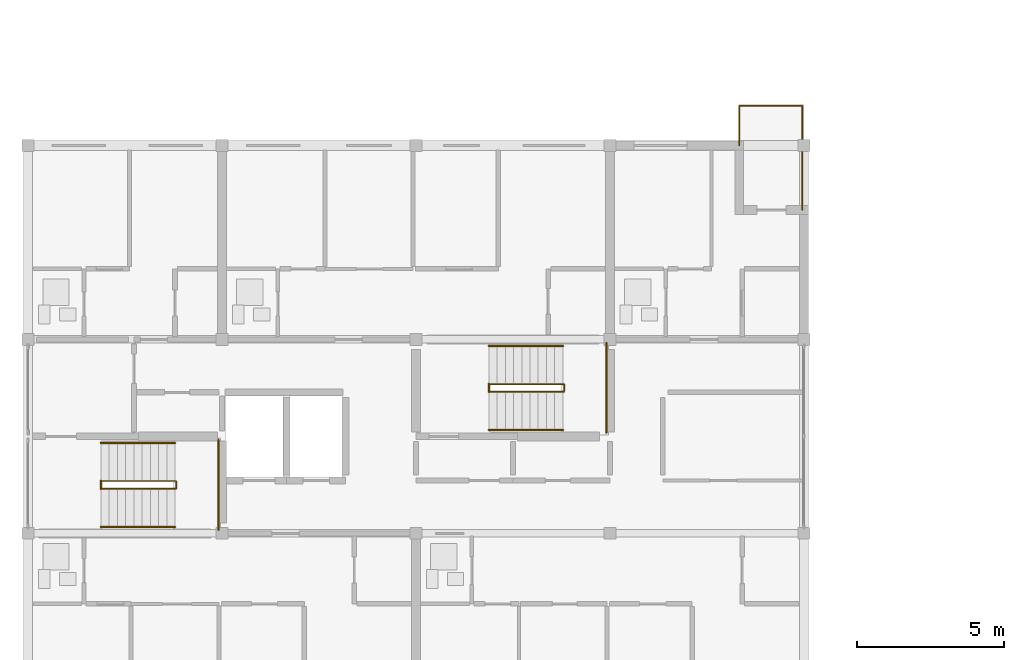
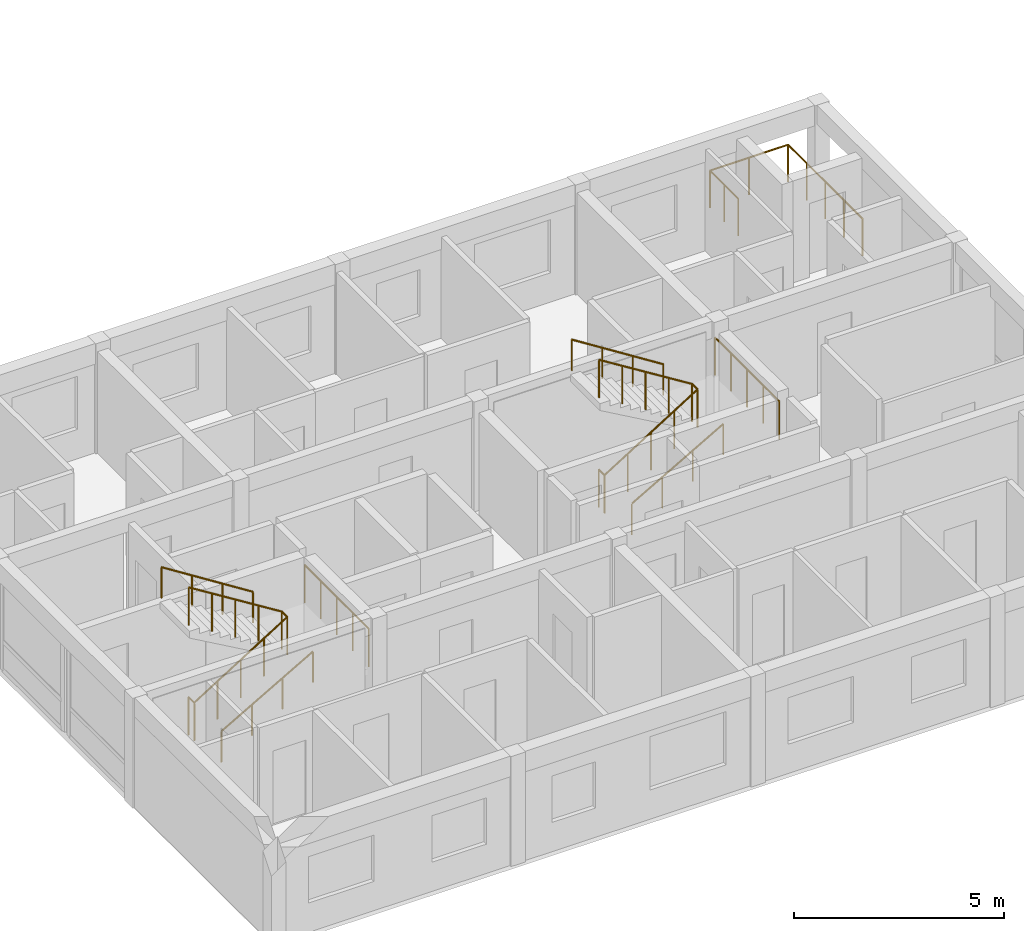
# One storey, part 40 of 45: 11 railings.
"""IFC4 building model written with IfcOpenShell, lengths in metres."""

from ifc_helpers import new_model, si_unit, direction, frame, origin, origin_2d, place, context, subcontext, project, spatial, circle, extrude, material, type_object, element, save


model = new_model("IFC4")

# Units and contexts
model_context = context("Model", 3, precision=1e-05, world=origin(), true_north=direction((0.0, 1.0)))
body_context = subcontext(model_context, "Body", "Model", "MODEL_VIEW")
ifc_project = project(units=[si_unit("LENGTHUNIT", "METRE"), si_unit("AREAUNIT", "SQUARE_METRE"), si_unit("VOLUMEUNIT", "CUBIC_METRE"), si_unit("PLANEANGLEUNIT", "RADIAN"), si_unit("MASSUNIT", "GRAM", prefix="KILO")], contexts=[model_context])

# Site, building, storey
site_placement = place(None, origin())
site = spatial("IfcSite", under=ifc_project, at=site_placement, CompositionType="ELEMENT")
building_placement = place(site_placement, origin())
building = spatial("IfcBuilding", under=site, at=building_placement, Name="Kernevlak Ridge Housing Community", CompositionType="ELEMENT")
storey_placement = place(building_placement, frame((0.0, 0.0, 14.800048828125)))
storey = spatial("IfcBuildingStorey", under=building, at=storey_placement, Name="L04", CompositionType="ELEMENT", Elevation=14.800048828125)

# Railings
ifc_material_1 = material(Name="Steel S355", Category="steel")
railing_type_1 = type_object("IfcRailingType", Name="BL-01", PredefinedType="BALUSTRADE", material=ifc_material_1)
railing_1_placement = place(storey_placement, frame((39.800048828125, 35.39990234375, 0.0)))
element("IfcRailing", 1, at=railing_1_placement, inside=storey, type_object=railing_type_1, Name="Block D L04 balcony balustrade BL-01 50", PredefinedType="BALUSTRADE", context=body_context, shape_type="SweptSolid", body=[
    extrude(circle(Radius=0.02392578125, at=origin_2d()), frame((0.0, 0.0, 1.076171875), z_axis=(0.0, 1.0, 0.0), x_axis=(-1.0, 0.0, 0.0)), (0.0, 0.0, 1.0), 1.35009765625),
    extrude(circle(Radius=0.02392578125, at=origin_2d()), frame((0.0, 1.35009765625, 1.076171875), z_axis=(1.0, 0.0, 0.0), x_axis=(0.0, 1.0, 0.0)), (0.0, 0.0, 1.0), 2.14990234375),
    extrude(circle(Radius=0.02392578125, at=origin_2d()), frame((2.14990234375, 1.35009765625, 1.076171875), z_axis=(0.0, -1.0, 0.0), x_axis=(1.0, 0.0, 0.0)), (0.0, 0.0, 1.0), 3.550048828125),
    extrude(circle(Radius=0.02099609375, at=origin_2d()), origin(), (0.0, 0.0, 1.0), 1.052001953125),
    extrude(circle(Radius=0.02099609375, at=origin_2d()), frame((0.0, 0.675048828125, 0.0)), (0.0, 0.0, 1.0), 1.052001953125),
    extrude(circle(Radius=0.02099609375, at=origin_2d()), frame((0.0, 1.35009765625, 0.0)), (0.0, 0.0, 1.0), 1.052001953125),
    extrude(circle(Radius=0.02099609375, at=origin_2d()), frame((1.074951171875, 1.35009765625, 0.0)), (0.0, 0.0, 1.0), 1.052001953125),
    extrude(circle(Radius=0.02099609375, at=origin_2d()), frame((2.14990234375, 1.35009765625, 0.0)), (0.0, 0.0, 1.0), 1.052001953125),
    extrude(circle(Radius=0.02099609375, at=origin_2d()), frame((2.14990234375, 0.462646484375, 0.0)), (0.0, 0.0, 1.0), 1.052001953125),
    extrude(circle(Radius=0.02099609375, at=origin_2d()), frame((2.14990234375, -0.4248046875, 0.0)), (0.0, 0.0, 1.0), 1.052001953125),
    extrude(circle(Radius=0.02099609375, at=origin_2d()), frame((2.14990234375, -1.3125, 0.0)), (0.0, 0.0, 1.0), 1.052001953125),
    extrude(circle(Radius=0.02099609375, at=origin_2d()), frame((2.14990234375, -2.199951171875, 0.0)), (0.0, 0.0, 1.0), 1.052001953125),
])
railing_type_2 = type_object("IfcRailingType", Name="GR-02", PredefinedType="GUARDRAIL", material=ifc_material_1)
railing_2_placement = place(storey_placement, frame((18.080078125, 23.7099609375, 0.0)))
element("IfcRailing", 2, at=railing_2_placement, inside=storey, type_object=railing_type_2, Name="Stair ST-D1 L04 well slot guard", PredefinedType="GUARDRAIL", context=body_context, shape_type="SweptSolid", body=[
    extrude(circle(Radius=0.02392578125, at=origin_2d()), frame((0.0, 0.0, 1.09619140625), z_axis=(0.0, 1.0, 0.0), x_axis=(-1.0, 0.0, 0.0)), (0.0, 0.0, 1.0), 0.280029296875),
    extrude(circle(Radius=0.02099609375, at=origin_2d()), origin(), (0.0, 0.0, 1.0), 1.072021484375),
    extrude(circle(Radius=0.02099609375, at=origin_2d()), frame((0.0, 0.280029296875, 0.0)), (0.0, 0.0, 1.0), 1.072021484375),
])
railing_3_placement = place(storey_placement, frame((18.080078125, 23.719970703125, 0.0)))
element("IfcRailing", 3, at=railing_3_placement, inside=storey, type_object=railing_type_2, Name="Stair ST-D1 L04 inner well guardrail", PredefinedType="GUARDRAIL", context=body_context, shape_type="SweptSolid", body=[
    extrude(circle(Radius=0.02392578125, at=origin_2d()), frame((0.0, 0.0, 1.09619140625), z_axis=(0.848002847666, 0.0, 0.529991670077), x_axis=(0.0, 1.0, 0.0)), (0.0, 0.0, 1.0), 3.0185546875),
    extrude(circle(Radius=0.02392578125, at=origin_2d()), frame((2.559814453125, 0.0, 2.69580078125), z_axis=(0.0, 1.0, 0.0), x_axis=(-1.0, 0.0, 0.0)), (0.0, 0.0, 1.0), 0.260009765625),
    extrude(circle(Radius=0.02392578125, at=origin_2d()), frame((2.559814453125, 0.260009765625, 2.69580078125), z_axis=(-0.847966497998, 0.0, 0.530049826217), x_axis=(0.0, -1.0, 0.0)), (0.0, 0.0, 1.0), 3.018798828125),
    extrude(circle(Radius=0.02099609375, at=origin_2d()), origin(), (0.0, 0.0, 1.0), 1.072021484375),
    extrude(circle(Radius=0.02099609375, at=origin_2d()), frame((0.639892578125, 0.0, 0.39990234375)), (0.0, 0.0, 1.0), 1.072021484375),
    extrude(circle(Radius=0.02099609375, at=origin_2d()), frame((1.27978515625, 0.0, 0.7998046875)), (0.0, 0.0, 1.0), 1.072021484375),
    extrude(circle(Radius=0.02099609375, at=origin_2d()), frame((1.919921875, 0.0, 1.199951171875)), (0.0, 0.0, 1.0), 1.072021484375),
    extrude(circle(Radius=0.02099609375, at=origin_2d()), frame((2.559814453125, 0.0, 1.599853515625)), (0.0, 0.0, 1.0), 1.072021484375),
    extrude(circle(Radius=0.02099609375, at=origin_2d()), frame((2.559814453125, 0.260009765625, 1.599853515625)), (0.0, 0.0, 1.0), 1.072021484375),
    extrude(circle(Radius=0.02099609375, at=origin_2d()), frame((1.919921875, 0.260009765625, 2.0)), (0.0, 0.0, 1.0), 1.072021484375),
    extrude(circle(Radius=0.02099609375, at=origin_2d()), frame((1.27978515625, 0.260009765625, 2.39990234375)), (0.0, 0.0, 1.0), 1.072021484375),
    extrude(circle(Radius=0.02099609375, at=origin_2d()), frame((0.639892578125, 0.260009765625, 2.7998046875)), (0.0, 0.0, 1.0), 1.072021484375),
    extrude(circle(Radius=0.02099609375, at=origin_2d()), frame((0.0, 0.260009765625, 3.199951171875)), (0.0, 0.0, 1.0), 1.072021484375),
])
railing_4_placement = place(storey_placement, frame((22.080078125, 22.320068359375, 1.599853515625)))
element("IfcRailing", 4, at=railing_4_placement, inside=storey, type_object=railing_type_2, Name="Stair ST-D1 L04 half-landing guard", PredefinedType="GUARDRAIL", context=body_context, shape_type="SweptSolid", body=[
    extrude(circle(Radius=0.02392578125, at=origin_2d()), frame((0.0, 0.0, 1.09619140625), z_axis=(0.0, 1.0, 0.0), x_axis=(-1.0, 0.0, 0.0)), (0.0, 0.0, 1.0), 3.059814453125),
    extrude(circle(Radius=0.02099609375, at=origin_2d()), origin(), (0.0, 0.0, 1.0), 1.072021484375),
    extrude(circle(Radius=0.02099609375, at=origin_2d()), frame((0.0, 0.764892578125, 0.0)), (0.0, 0.0, 1.0), 1.072021484375),
    extrude(circle(Radius=0.02099609375, at=origin_2d()), frame((0.0, 1.52978515625, 0.0)), (0.0, 0.0, 1.0), 1.072021484375),
    extrude(circle(Radius=0.02099609375, at=origin_2d()), frame((0.0, 2.294921875, 0.0)), (0.0, 0.0, 1.0), 1.072021484375),
    extrude(circle(Radius=0.02099609375, at=origin_2d()), frame((0.0, 3.059814453125, 0.0)), (0.0, 0.0, 1.0), 1.072021484375),
])
railing_5_placement = place(storey_placement, frame((31.280029296875, 27.010009765625, 0.0)))
element("IfcRailing", 5, at=railing_5_placement, inside=storey, type_object=railing_type_2, Name="Stair ST-D2 L04 well slot guard", PredefinedType="GUARDRAIL", context=body_context, shape_type="SweptSolid", body=[
    extrude(circle(Radius=0.02392578125, at=origin_2d()), frame((0.0, 0.0, 1.09619140625), z_axis=(0.0, 1.0, 0.0), x_axis=(-1.0, 0.0, 0.0)), (0.0, 0.0, 1.0), 0.280029296875),
    extrude(circle(Radius=0.02099609375, at=origin_2d()), origin(), (0.0, 0.0, 1.0), 1.072021484375),
    extrude(circle(Radius=0.02099609375, at=origin_2d()), frame((0.0, 0.280029296875, 0.0)), (0.0, 0.0, 1.0), 1.072021484375),
])
railing_6_placement = place(storey_placement, frame((31.280029296875, 27.02001953125, 0.0)))
element("IfcRailing", 6, at=railing_6_placement, inside=storey, type_object=railing_type_2, Name="Stair ST-D2 L04 inner well guardrail", PredefinedType="GUARDRAIL", context=body_context, shape_type="SweptSolid", body=[
    extrude(circle(Radius=0.02392578125, at=origin_2d()), frame((0.0, 0.0, 1.09619140625), z_axis=(0.848025563165, 0.0, 0.529955322851), x_axis=(0.0, 1.0, 0.0)), (0.0, 0.0, 1.0), 3.018798828125),
    extrude(circle(Radius=0.02392578125, at=origin_2d()), frame((2.56005859375, 0.0, 2.69580078125), z_axis=(0.0, 1.0, 0.0), x_axis=(-1.0, 0.0, 0.0)), (0.0, 0.0, 1.0), 0.260009765625),
    extrude(circle(Radius=0.02392578125, at=origin_2d()), frame((2.56005859375, 0.260009765625, 2.69580078125), z_axis=(-0.847989217509, 0.0, 0.530013478119), x_axis=(0.0, -1.0, 0.0)), (0.0, 0.0, 1.0), 3.01904296875),
    extrude(circle(Radius=0.02099609375, at=origin_2d()), origin(), (0.0, 0.0, 1.0), 1.072021484375),
    extrude(circle(Radius=0.02099609375, at=origin_2d()), frame((0.64013671875, 0.0, 0.39990234375)), (0.0, 0.0, 1.0), 1.072021484375),
    extrude(circle(Radius=0.02099609375, at=origin_2d()), frame((1.280029296875, 0.0, 0.7998046875)), (0.0, 0.0, 1.0), 1.072021484375),
    extrude(circle(Radius=0.02099609375, at=origin_2d()), frame((1.919921875, 0.0, 1.199951171875)), (0.0, 0.0, 1.0), 1.072021484375),
    extrude(circle(Radius=0.02099609375, at=origin_2d()), frame((2.56005859375, 0.0, 1.599853515625)), (0.0, 0.0, 1.0), 1.072021484375),
    extrude(circle(Radius=0.02099609375, at=origin_2d()), frame((2.56005859375, 0.260009765625, 1.599853515625)), (0.0, 0.0, 1.0), 1.072021484375),
    extrude(circle(Radius=0.02099609375, at=origin_2d()), frame((1.919921875, 0.260009765625, 2.0)), (0.0, 0.0, 1.0), 1.072021484375),
    extrude(circle(Radius=0.02099609375, at=origin_2d()), frame((1.280029296875, 0.260009765625, 2.39990234375)), (0.0, 0.0, 1.0), 1.072021484375),
    extrude(circle(Radius=0.02099609375, at=origin_2d()), frame((0.64013671875, 0.260009765625, 2.7998046875)), (0.0, 0.0, 1.0), 1.072021484375),
    extrude(circle(Radius=0.02099609375, at=origin_2d()), frame((0.0, 0.260009765625, 3.199951171875)), (0.0, 0.0, 1.0), 1.072021484375),
])
railing_7_placement = place(storey_placement, frame((35.280029296875, 25.6201171875, 1.599853515625)))
element("IfcRailing", 7, at=railing_7_placement, inside=storey, type_object=railing_type_2, Name="Stair ST-D2 L04 half-landing guard", PredefinedType="GUARDRAIL", context=body_context, shape_type="SweptSolid", body=[
    extrude(circle(Radius=0.02392578125, at=origin_2d()), frame((0.0, 0.0, 1.09619140625), z_axis=(0.0, 1.0, 0.0), x_axis=(-1.0, 0.0, 0.0)), (0.0, 0.0, 1.0), 3.059814453125),
    extrude(circle(Radius=0.02099609375, at=origin_2d()), origin(), (0.0, 0.0, 1.0), 1.072021484375),
    extrude(circle(Radius=0.02099609375, at=origin_2d()), frame((0.0, 0.764892578125, 0.0)), (0.0, 0.0, 1.0), 1.072021484375),
    extrude(circle(Radius=0.02099609375, at=origin_2d()), frame((0.0, 1.52978515625, 0.0)), (0.0, 0.0, 1.0), 1.072021484375),
    extrude(circle(Radius=0.02099609375, at=origin_2d()), frame((0.0, 2.294921875, 0.0)), (0.0, 0.0, 1.0), 1.072021484375),
    extrude(circle(Radius=0.02099609375, at=origin_2d()), frame((0.0, 3.059814453125, 0.0)), (0.0, 0.0, 1.0), 1.072021484375),
])
ifc_material_2 = material(Name="Stainless steel EN 1.4401", Category="steel")
railing_type_3 = type_object("IfcRailingType", Name="HR-01", PredefinedType="HANDRAIL", material=ifc_material_2)
railing_8_placement = place(storey_placement, frame((18.080078125, 22.419921875, 0.159912109375)))
element("IfcRailing", 8, at=railing_8_placement, inside=storey, type_object=railing_type_3, Name="Stair ST-D1 L04 flight 1 handrail", PredefinedType="HANDRAIL", context=body_context, shape_type="SweptSolid", body=[
    extrude(circle(Radius=0.02392578125, at=origin_2d()), frame((0.0, 0.0, 0.89599609375), z_axis=(0.868253494771, 0.0, 0.496120820787), x_axis=(0.0, 1.0, 0.0)), (0.0, 0.0, 1.0), 2.90234375),
    extrude(circle(Radius=0.02099609375, at=origin_2d()), origin(), (0.0, 0.0, 1.0), 0.871826171875),
    extrude(circle(Radius=0.02099609375, at=origin_2d()), frame((0.840087890625, 0.0, 0.47998046875)), (0.0, 0.0, 1.0), 0.871826171875),
    extrude(circle(Radius=0.02099609375, at=origin_2d()), frame((1.679931640625, 0.0, 0.9599609375)), (0.0, 0.0, 1.0), 0.871826171875),
    extrude(circle(Radius=0.02099609375, at=origin_2d()), frame((2.52001953125, 0.0, 1.43994140625)), (0.0, 0.0, 1.0), 0.871826171875),
])
railing_9_placement = place(storey_placement, frame((20.60009765625, 25.280029296875, 1.599853515625)))
element("IfcRailing", 9, at=railing_9_placement, inside=storey, type_object=railing_type_3, Name="Stair ST-D1 L04 flight 2 handrail", PredefinedType="HANDRAIL", context=body_context, shape_type="SweptSolid", body=[
    extrude(circle(Radius=0.02392578125, at=origin_2d()), frame((0.0, 0.0, 0.89599609375), z_axis=(-0.844199891302, 0.0, 0.536028491338), x_axis=(0.0, -1.0, 0.0)), (0.0, 0.0, 1.0), 2.985107421875),
    extrude(circle(Radius=0.02099609375, at=origin_2d()), origin(), (0.0, 0.0, 1.0), 0.871826171875),
    extrude(circle(Radius=0.02099609375, at=origin_2d()), frame((-0.840087890625, 0.0, 0.533447265625)), (0.0, 0.0, 1.0), 0.871826171875),
    extrude(circle(Radius=0.02099609375, at=origin_2d()), frame((-1.679931640625, 0.0, 1.066650390625)), (0.0, 0.0, 1.0), 0.871826171875),
    extrude(circle(Radius=0.02099609375, at=origin_2d()), frame((-2.52001953125, 0.0, 1.60009765625)), (0.0, 0.0, 1.0), 0.871826171875),
])
railing_10_placement = place(storey_placement, frame((31.280029296875, 25.719970703125, 0.159912109375)))
element("IfcRailing", 10, at=railing_10_placement, inside=storey, type_object=railing_type_3, Name="Stair ST-D2 L04 flight 1 handrail", PredefinedType="HANDRAIL", context=body_context, shape_type="SweptSolid", body=[
    extrude(circle(Radius=0.02392578125, at=origin_2d()), frame((0.0, 0.0, 0.89599609375), z_axis=(0.868253494771, 0.0, 0.496120820787), x_axis=(0.0, 1.0, 0.0)), (0.0, 0.0, 1.0), 2.90234375),
    extrude(circle(Radius=0.02099609375, at=origin_2d()), origin(), (0.0, 0.0, 1.0), 0.871826171875),
    extrude(circle(Radius=0.02099609375, at=origin_2d()), frame((0.840087890625, 0.0, 0.47998046875)), (0.0, 0.0, 1.0), 0.871826171875),
    extrude(circle(Radius=0.02099609375, at=origin_2d()), frame((1.679931640625, 0.0, 0.9599609375)), (0.0, 0.0, 1.0), 0.871826171875),
    extrude(circle(Radius=0.02099609375, at=origin_2d()), frame((2.52001953125, 0.0, 1.43994140625)), (0.0, 0.0, 1.0), 0.871826171875),
])
railing_11_placement = place(storey_placement, frame((33.800048828125, 28.580078125, 1.599853515625)))
element("IfcRailing", 11, at=railing_11_placement, inside=storey, type_object=railing_type_3, Name="Stair ST-D2 L04 flight 2 handrail", PredefinedType="HANDRAIL", context=body_context, shape_type="SweptSolid", body=[
    extrude(circle(Radius=0.02392578125, at=origin_2d()), frame((0.0, 0.0, 0.89599609375), z_axis=(-0.844199891302, 0.0, 0.536028491338), x_axis=(0.0, -1.0, 0.0)), (0.0, 0.0, 1.0), 2.985107421875),
    extrude(circle(Radius=0.02099609375, at=origin_2d()), origin(), (0.0, 0.0, 1.0), 0.871826171875),
    extrude(circle(Radius=0.02099609375, at=origin_2d()), frame((-0.840087890625, 0.0, 0.533447265625)), (0.0, 0.0, 1.0), 0.871826171875),
    extrude(circle(Radius=0.02099609375, at=origin_2d()), frame((-1.679931640625, 0.0, 1.066650390625)), (0.0, 0.0, 1.0), 0.871826171875),
    extrude(circle(Radius=0.02099609375, at=origin_2d()), frame((-2.52001953125, 0.0, 1.60009765625)), (0.0, 0.0, 1.0), 0.871826171875),
])

save(model, "model.ifc")
